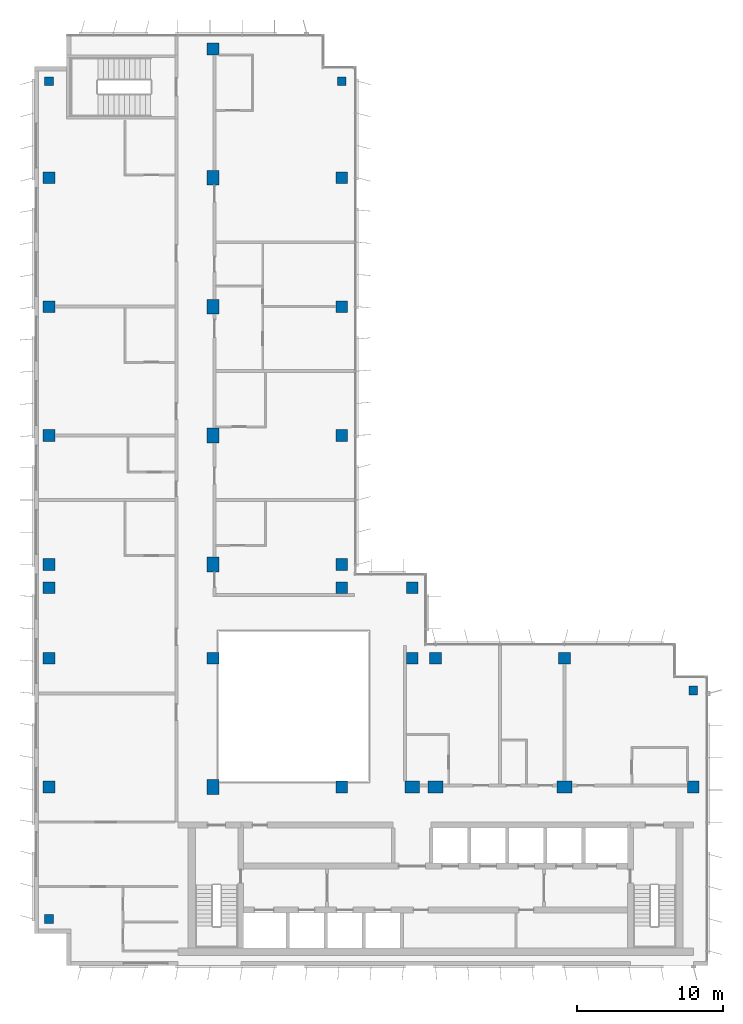
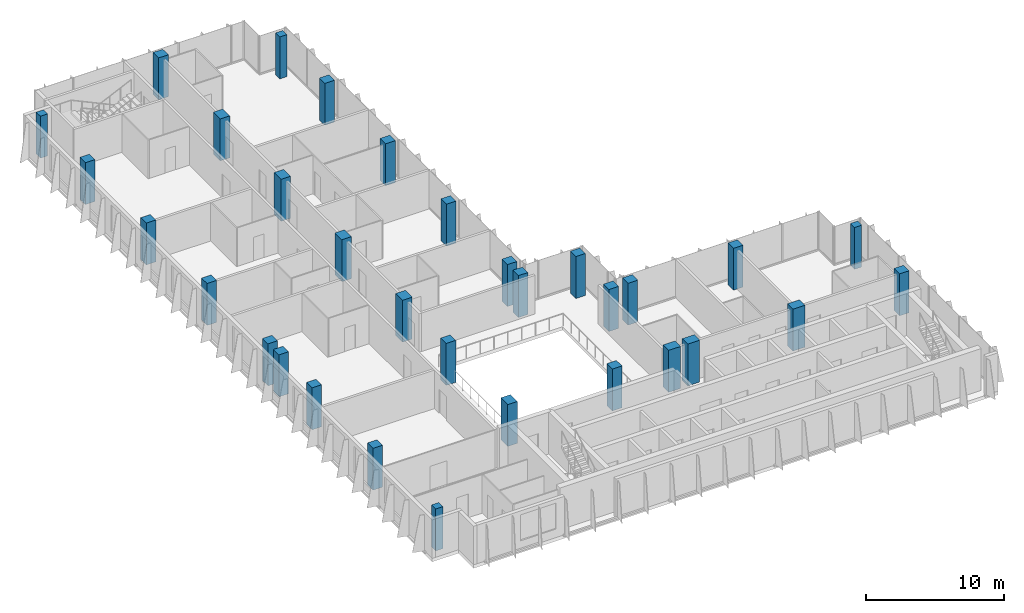
# One storey, part 1 of 15: 32 columns.
"""IFC4 building model written with IfcOpenShell, lengths in metres."""

from ifc_helpers import new_model, si_unit, direction, frame, origin, origin_2d, place, context, subcontext, project, spatial, rectangle, extrude, material, material_profile, profile_set, type_object, element, save


model = new_model("IFC4")

# Units and contexts
model_context = context("Model", 3, precision=1e-05, world=origin(), true_north=direction((0.0, 1.0)))
body_context = subcontext(model_context, "Body", "Model", "MODEL_VIEW")
ifc_project = project(units=[si_unit("LENGTHUNIT", "METRE"), si_unit("AREAUNIT", "SQUARE_METRE"), si_unit("VOLUMEUNIT", "CUBIC_METRE"), si_unit("PLANEANGLEUNIT", "RADIAN"), si_unit("MASSUNIT", "GRAM", prefix="KILO")], contexts=[model_context])

# Site, building, storey
site_placement = place(None, origin())
site = spatial("IfcSite", under=ifc_project, at=site_placement, CompositionType="ELEMENT")
building_placement = place(site_placement, origin())
building = spatial("IfcBuilding", under=site, at=building_placement, Name="Kemantara Hotel Tower", CompositionType="ELEMENT")
storey_placement = place(building_placement, frame((0.0, 0.0, 261.10009765625)))
storey = spatial("IfcBuildingStorey", under=building, at=storey_placement, Name="L65", CompositionType="ELEMENT", Elevation=261.10009765625)

# Columns
ifc_material = material(Name="Concrete fc 50 MPa", Category="concrete")
ifc_material_profile_1 = material_profile(ifc_material, rectangle(XDim=1.0, YDim=0.800048828125, at=origin_2d()), Name="RC 1000X800")
ifc_profile_set_1 = profile_set([ifc_material_profile_1], Name="Concrete fc 50 MPa")
column_type_1 = type_object("IfcColumnType", Name="RC COLUMN 1000X800 FC50", PredefinedType="COLUMN", material=ifc_profile_set_1)
for number, where, z_axis, x_axis, name in (
    (1, (12.199951171875, 12.199951171875, 0.0), (0.0, 0.0, 1.0), (0.0, 1.0, 0.0), "COLUMN 2A/BA L65"),
    (2, (12.199951171875, 27.39990234375, 0.0), (0.0, 0.0, 1.0), (0.0, 1.0, 0.0), "COLUMN 2A/D L65"),
    (3, (12.199951171875, 36.199951171875, 0.0), (0.0, 0.0, 1.0), (0.0, 1.0, 0.0), "COLUMN 2A/E L65"),
    (4, (12.199951171875, 45.0, 0.0), (0.0, 0.0, 1.0), (0.0, 1.0, 0.0), "COLUMN 2A/F L65"),
    (5, (12.199951171875, 53.800048828125, 0.0), (0.0, 0.0, 1.0), (0.0, 1.0, 0.0), "COLUMN 2A/G L65"),
    (6, (25.800048828125, 12.199951171875, 0.0), (0.0, 0.0, 1.0), (1.0, 0.0, 0.0), "COLUMN 3A/BA L65"),
    (7, (27.39990234375, 12.199951171875, 0.0), (0.0, 0.0, 1.0), (1.0, 0.0, 0.0), "COLUMN 4/BA L65"),
    (8, (36.199951171875, 12.199951171875, 0.0), (0.0, 0.0, 1.0), (1.0, 0.0, 0.0), "COLUMN 5/BA L65"),
):
    element("IfcColumn", number, at=place(storey_placement, frame(where, z_axis=z_axis, x_axis=x_axis)), inside=storey, type_object=column_type_1, Name=name, PredefinedType="COLUMN", context=body_context, shape_type="SweptSolid", body=[
        extrude(rectangle(XDim=1.0, YDim=0.800048828125, at=origin_2d()), origin(), (0.0, 0.0, 1.0), 3.699951171875),
    ])
ifc_material_profile_2 = material_profile(ifc_material, rectangle(XDim=0.60009765625, YDim=0.60009765625, at=origin_2d()), Name="RC 600X600")
ifc_profile_set_2 = profile_set([ifc_material_profile_2], Name="Concrete fc 50 MPa")
column_type_2 = type_object("IfcColumnType", Name="RC COLUMN 600X600 FC50", PredefinedType="COLUMN", material=ifc_profile_set_2)
for number, where, z_axis, x_axis, name in (
    (9, (1.0, 3.199951171875, 0.0), (0.0, 0.0, 1.0), (1.0, 0.0, 0.0), "COLUMN notch corner L65"),
    (10, (1.0, 60.39990234375, 0.0), (0.0, 0.0, 1.0), (1.0, 0.0, 0.0), "COLUMN notch corner L65"),
    (11, (21.0, 60.39990234375, 0.0), (0.0, 0.0, 1.0), (1.0, 0.0, 0.0), "COLUMN notch corner L65"),
    (12, (45.0, 18.800048828125, 0.0), (0.0, 0.0, 1.0), (1.0, 0.0, 0.0), "COLUMN notch corner L65"),
):
    element("IfcColumn", number, at=place(storey_placement, frame(where, z_axis=z_axis, x_axis=x_axis)), inside=storey, type_object=column_type_2, Name=name, PredefinedType="COLUMN", context=body_context, shape_type="SweptSolid", body=[
        extrude(rectangle(XDim=0.60009765625, YDim=0.60009765625, at=origin_2d()), origin(), (0.0, 0.0, 1.0), 3.699951171875),
    ])
ifc_material_profile_3 = material_profile(ifc_material, rectangle(XDim=0.800048828125, YDim=0.800048828125, at=origin_2d()), Name="RC 800X800")
ifc_profile_set_3 = profile_set([ifc_material_profile_3], Name="Concrete fc 50 MPa")
column_type_3 = type_object("IfcColumnType", Name="RC COLUMN 800X800 FC50", PredefinedType="COLUMN", material=ifc_profile_set_3)
for number, where, z_axis, x_axis, name in (
    (13, (1.0, 12.199951171875, 0.0), (0.0, 0.0, 1.0), (1.0, 0.0, 0.0), "COLUMN 1/BA L65"),
    (14, (1.0, 21.0, 0.0), (0.0, 0.0, 1.0), (1.0, 0.0, 0.0), "COLUMN 1/C L65"),
    (15, (1.0, 25.800048828125, 0.0), (0.0, 0.0, 1.0), (1.0, 0.0, 0.0), "COLUMN 1/CA L65"),
    (16, (1.0, 27.39990234375, 0.0), (0.0, 0.0, 1.0), (1.0, 0.0, 0.0), "COLUMN 1/D L65"),
    (17, (1.0, 36.199951171875, 0.0), (0.0, 0.0, 1.0), (1.0, 0.0, 0.0), "COLUMN 1/E L65"),
    (18, (1.0, 45.0, 0.0), (0.0, 0.0, 1.0), (1.0, 0.0, 0.0), "COLUMN 1/F L65"),
    (19, (1.0, 53.800048828125, 0.0), (0.0, 0.0, 1.0), (1.0, 0.0, 0.0), "COLUMN 1/G L65"),
    (20, (12.199951171875, 21.0, 0.0), (0.0, 0.0, 1.0), (1.0, 0.0, 0.0), "COLUMN 2A/C L65"),
    (21, (12.199951171875, 62.60009765625, 0.0), (0.0, 0.0, 1.0), (1.0, 0.0, 0.0), "COLUMN 2A/H L65"),
    (22, (21.0, 12.199951171875, 0.0), (0.0, 0.0, 1.0), (1.0, 0.0, 0.0), "COLUMN 3/BA L65"),
    (23, (21.0, 25.800048828125, 0.0), (0.0, 0.0, 1.0), (1.0, 0.0, 0.0), "COLUMN 3/CA L65"),
    (24, (21.0, 27.39990234375, 0.0), (0.0, 0.0, 1.0), (1.0, 0.0, 0.0), "COLUMN 3/D L65"),
    (25, (21.0, 36.199951171875, 0.0), (0.0, 0.0, 1.0), (1.0, 0.0, 0.0), "COLUMN 3/E L65"),
    (26, (21.0, 45.0, 0.0), (0.0, 0.0, 1.0), (1.0, 0.0, 0.0), "COLUMN 3/F L65"),
    (27, (21.0, 53.800048828125, 0.0), (0.0, 0.0, 1.0), (1.0, 0.0, 0.0), "COLUMN 3/G L65"),
    (28, (25.800048828125, 21.0, 0.0), (0.0, 0.0, 1.0), (1.0, 0.0, 0.0), "COLUMN 3A/C L65"),
    (29, (25.800048828125, 25.800048828125, 0.0), (0.0, 0.0, 1.0), (1.0, 0.0, 0.0), "COLUMN 3A/CA L65"),
    (30, (27.39990234375, 21.0, 0.0), (0.0, 0.0, 1.0), (1.0, 0.0, 0.0), "COLUMN 4/C L65"),
    (31, (36.199951171875, 21.0, 0.0), (0.0, 0.0, 1.0), (1.0, 0.0, 0.0), "COLUMN 5/C L65"),
    (32, (45.0, 12.199951171875, 0.0), (0.0, 0.0, 1.0), (1.0, 0.0, 0.0), "COLUMN 6/BA L65"),
):
    element("IfcColumn", number, at=place(storey_placement, frame(where, z_axis=z_axis, x_axis=x_axis)), inside=storey, type_object=column_type_3, Name=name, PredefinedType="COLUMN", context=body_context, shape_type="SweptSolid", body=[
        extrude(rectangle(XDim=0.800048828125, YDim=0.800048828125, at=origin_2d()), origin(), (0.0, 0.0, 1.0), 3.699951171875),
    ])

save(model, "model.ifc")
